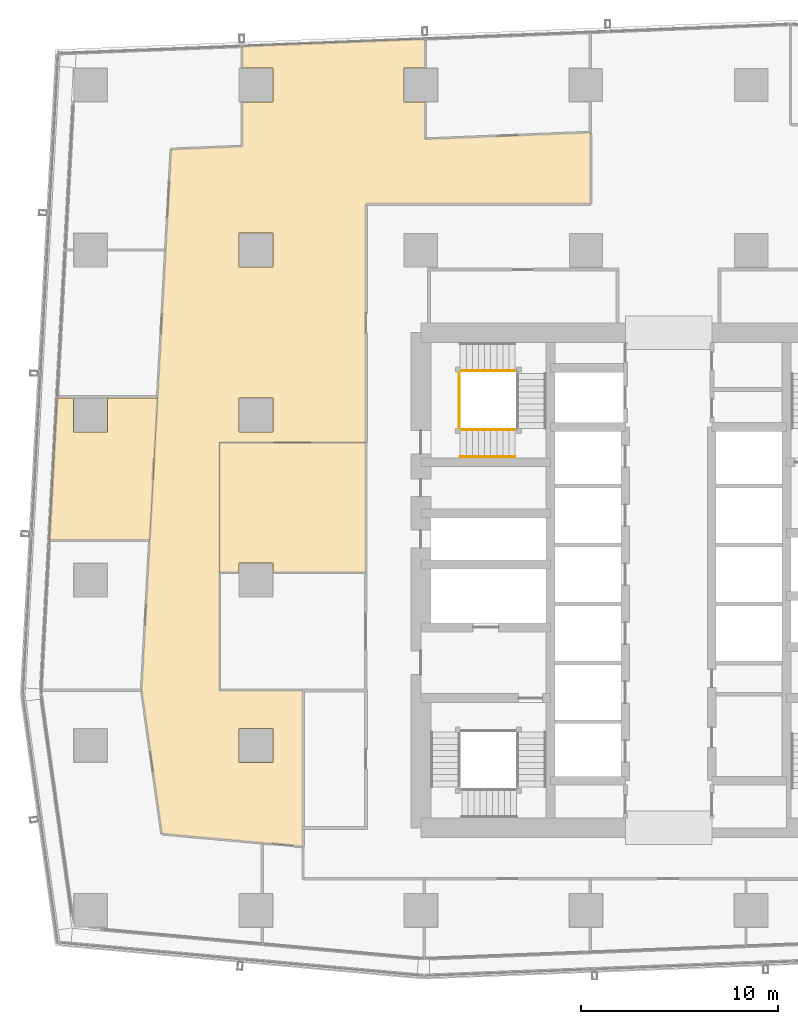
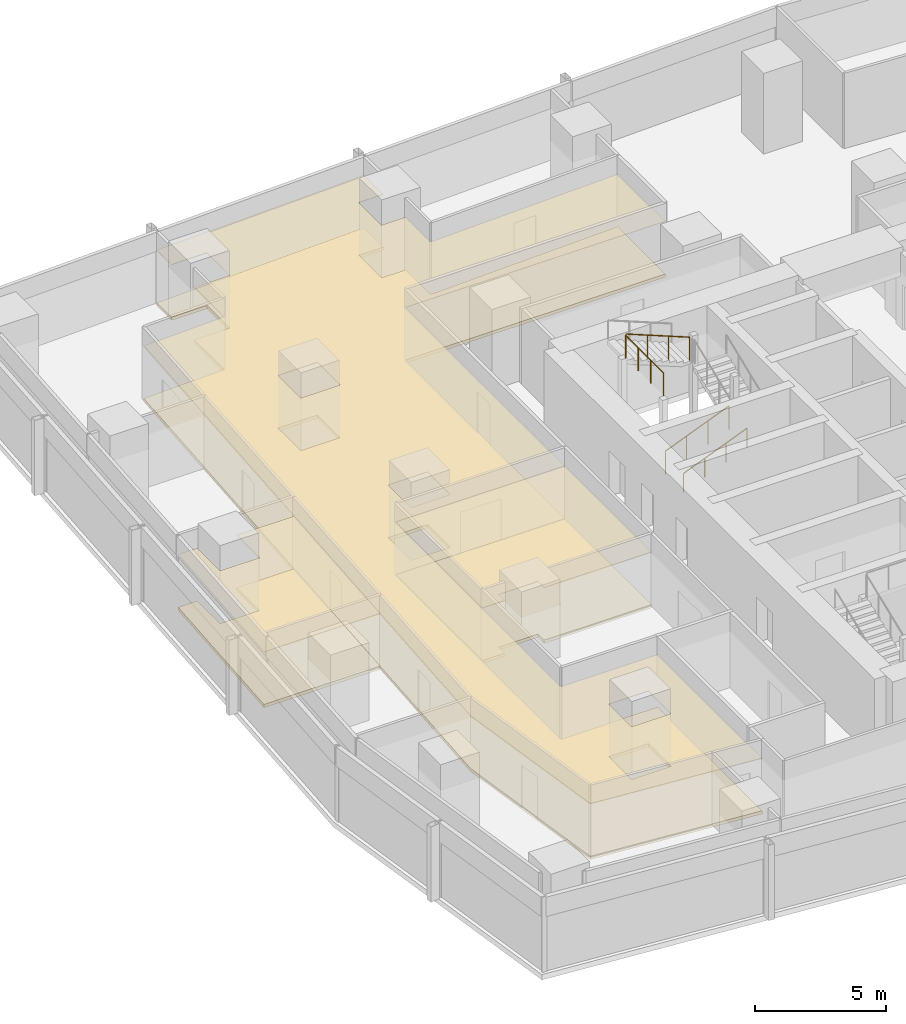
# One storey, part 35 of 40: 6 coverings, 4 railings.
"""IFC4 building model written with IfcOpenShell, lengths in metres."""

from ifc_helpers import new_model, si_unit, direction, frame, origin, origin_2d, place, context, subcontext, project, spatial, polyline, circle, outline, extrude, material, layer, layer_set, type_object, element, save


model = new_model("IFC4")

# Units and contexts
model_context = context("Model", 3, precision=1e-05, world=origin(), true_north=direction((0.0, 1.0)))
body_context = subcontext(model_context, "Body", "Model", "MODEL_VIEW")
ifc_project = project(units=[si_unit("LENGTHUNIT", "METRE"), si_unit("AREAUNIT", "SQUARE_METRE"), si_unit("VOLUMEUNIT", "CUBIC_METRE"), si_unit("PLANEANGLEUNIT", "RADIAN"), si_unit("MASSUNIT", "GRAM", prefix="KILO")], contexts=[model_context])

# Site, building, storey
site_placement = place(None, origin())
site = spatial("IfcSite", under=ifc_project, at=site_placement, CompositionType="ELEMENT")
building_placement = place(site_placement, origin())
building = spatial("IfcBuilding", under=site, at=building_placement, Name="Rekha Terrace Tower", CompositionType="ELEMENT")
storey_placement = place(building_placement, frame((0.0, 0.0, 132.800048828125)))
storey = spatial("IfcBuildingStorey", under=building, at=storey_placement, Name="L33", CompositionType="ELEMENT", Elevation=132.800048828125)

# Coverings
ifc_material_1 = material(Name="Mineral fibre tile in exposed grid", Category="finish")
ifc_layer_1 = layer(ifc_material_1, 0.02001953125)
ifc_layer_set_1 = layer_set([ifc_layer_1], Name="Mineral fibre tile in exposed grid")
covering_type_1 = type_object("IfcCoveringType", Name="CL1 600x1200 office grid ceiling", PredefinedType="CEILING", material=ifc_layer_set_1)
covering_1_placement = place(storey_placement, frame((0.0, 0.0, 2.579833984375)))
element("IfcCovering", 1, at=covering_1_placement, inside=storey, type_object=covering_type_1, Name="Ceiling L33-14", PredefinedType="CEILING", context=body_context, shape_type="SweptSolid", body=[
    extrude(outline(polyline([(9.264892578125, 41.135009765625), (7.534912109375, 41.135009765625), (7.534912109375, 42.8720703125), (6.68994140625, 42.8720703125), (6.29296875, 35.635009765625), (11.40087890625, 35.635009765625), (11.797119140625, 42.8720703125), (9.264892578125, 42.8720703125), (9.264892578125, 41.135009765625)])), origin(), (0.0, 0.0, 1.0), 0.02001953125),
])
covering_2_placement = place(storey_placement, frame((0.0, 0.0, 2.579833984375)))
element("IfcCovering", 2, at=covering_2_placement, inside=storey, type_object=covering_type_1, Name="Ceiling L33-19", PredefinedType="CEILING", context=body_context, shape_type="SweptSolid", body=[
    extrude(outline(polyline([(22.39990234375, 40.60009765625), (14.949951171875, 40.60009765625), (14.949951171875, 34.0), (15.93505859375, 34.0), (15.93505859375, 34.465087890625), (17.6650390625, 34.465087890625), (17.6650390625, 34.0), (22.39990234375, 34.0), (22.39990234375, 40.60009765625)])), origin(), (0.0, 0.0, 1.0), 0.02001953125),
])
covering_3_placement = place(storey_placement, frame((0.0, 0.0, 2.579833984375)))
element("IfcCovering", 3, at=covering_3_placement, inside=storey, type_object=covering_type_1, Name="Ceiling L33-O2", PredefinedType="CEILING", context=body_context, shape_type="SweptSolid", body=[
    extrude(outline(polyline([(10.98388671875, 28.031005859375), (10.989990234375, 27.988037109375), (12.01806640625, 20.694091796875), (17.135009765625, 20.22900390625), (19.199951171875, 20.041015625), (19.199951171875, 28.0), (14.949951171875, 28.0), (14.949951171875, 40.60009765625), (22.39990234375, 40.60009765625), (22.39990234375, 52.75), (33.825927734375, 52.75), (33.825927734375, 56.386962890625), (25.4140625, 56.050048828125), (25.4140625, 57.93505859375), (24.3349609375, 57.93505859375), (24.3349609375, 59.6650390625), (25.4140625, 59.6650390625), (25.4140625, 61.154052734375), (16.10107421875, 60.781005859375), (16.10107421875, 59.6650390625), (17.6650390625, 59.6650390625), (17.6650390625, 57.93505859375), (16.10107421875, 57.93505859375), (16.10107421875, 55.676025390625), (12.490966796875, 55.531982421875), (12.2099609375, 50.402099609375), (11.797119140625, 42.8720703125), (11.40087890625, 35.635009765625), (11.39990234375, 35.635009765625), (10.98388671875, 28.031005859375)]), holes=[polyline([(17.6650390625, 26.06494140625), (17.6650390625, 24.3349609375), (15.93505859375, 24.3349609375), (15.93505859375, 26.06494140625), (17.6650390625, 26.06494140625)]), polyline([(17.6650390625, 41.135009765625), (15.93505859375, 41.135009765625), (15.93505859375, 42.864990234375), (17.6650390625, 42.864990234375), (17.6650390625, 41.135009765625)]), polyline([(17.6650390625, 49.534912109375), (15.93505859375, 49.534912109375), (15.93505859375, 51.264892578125), (17.6650390625, 51.264892578125), (17.6650390625, 49.534912109375)])]), origin(), (0.0, 0.0, 1.0), 0.02001953125),
])

# Railings
ifc_material_2 = material(Name="Stainless steel balustrade", Category="steel")
railing_type_1 = type_object("IfcRailingType", Name="GR1 1100 stair guard", PredefinedType="GUARDRAIL", material=ifc_material_2)
railing_1_placement = place(storey_placement, frame((27.199951171875, 41.264892578125, 0.125)))
element("IfcRailing", 4, at=railing_1_placement, inside=storey, type_object=railing_type_1, Name="Guard ST4 L33 flight 1", PredefinedType="GUARDRAIL", context=body_context, shape_type="SweptSolid", body=[
    extrude(circle(Radius=0.02392578125, at=origin_2d()), frame((0.0, 0.0, 1.076171875), z_axis=(0.927443287984, 0.0, 0.373963831907), x_axis=(0.0, 1.0, 0.0)), (0.0, 0.0, 1.0), 3.00830078125),
    extrude(circle(Radius=0.02099609375, at=origin_2d()), origin(), (0.0, 0.0, 1.0), 1.052001953125),
    extrude(circle(Radius=0.02099609375, at=origin_2d()), frame((0.929931640625, 0.0, 0.375)), (0.0, 0.0, 1.0), 1.052001953125),
    extrude(circle(Radius=0.02099609375, at=origin_2d()), frame((1.860107421875, 0.0, 0.75)), (0.0, 0.0, 1.0), 1.052001953125),
    extrude(circle(Radius=0.02099609375, at=origin_2d()), frame((2.7900390625, 0.0, 1.125)), (0.0, 0.0, 1.0), 1.052001953125),
])
railing_2_placement = place(storey_placement, frame((29.989990234375, 44.260009765625, 2.625)))
element("IfcRailing", 5, at=railing_2_placement, inside=storey, type_object=railing_type_1, Name="Guard ST4 L33 flight 3", PredefinedType="GUARDRAIL", context=body_context, shape_type="SweptSolid", body=[
    extrude(circle(Radius=0.02392578125, at=origin_2d()), frame((0.0, 0.0, 1.076171875), z_axis=(-0.927443287984, 0.0, 0.373963831907), x_axis=(0.0, -1.0, 0.0)), (0.0, 0.0, 1.0), 3.00830078125),
    extrude(circle(Radius=0.02099609375, at=origin_2d()), origin(), (0.0, 0.0, 1.0), 1.052001953125),
    extrude(circle(Radius=0.02099609375, at=origin_2d()), frame((-0.929931640625, 0.0, 0.375)), (0.0, 0.0, 1.0), 1.052001953125),
    extrude(circle(Radius=0.02099609375, at=origin_2d()), frame((-1.860107421875, 0.0, 0.75)), (0.0, 0.0, 1.0), 1.052001953125),
    extrude(circle(Radius=0.02099609375, at=origin_2d()), frame((-2.7900390625, 0.0, 1.125)), (0.0, 0.0, 1.0), 1.052001953125),
])
railing_3_placement = place(storey_placement, frame((27.139892578125, 41.324951171875, 3.75)))
element("IfcRailing", 6, at=railing_3_placement, inside=storey, type_object=railing_type_1, Name="Guard ST4 L33 landing 4", PredefinedType="GUARDRAIL", context=body_context, shape_type="SweptSolid", body=[
    extrude(circle(Radius=0.02392578125, at=origin_2d()), frame((0.0, 0.0, 1.076171875), z_axis=(0.0, 1.0, 0.0), x_axis=(-1.0, 0.0, 0.0)), (0.0, 0.0, 1.0), 2.875),
    extrude(circle(Radius=0.02099609375, at=origin_2d()), origin(), (0.0, 0.0, 1.0), 1.052001953125),
    extrude(circle(Radius=0.02099609375, at=origin_2d()), frame((0.0, 0.958251953125, 0.0)), (0.0, 0.0, 1.0), 1.052001953125),
    extrude(circle(Radius=0.02099609375, at=origin_2d()), frame((0.0, 1.916748046875, 0.0)), (0.0, 0.0, 1.0), 1.052001953125),
    extrude(circle(Radius=0.02099609375, at=origin_2d()), frame((0.0, 2.875, 0.0)), (0.0, 0.0, 1.0), 1.052001953125),
])
ifc_material_3 = material(Name="Stainless steel tube", Category="steel")
railing_type_2 = type_object("IfcRailingType", Name="HR1 900 stair handrail", PredefinedType="HANDRAIL", material=ifc_material_3)
railing_4_placement = place(storey_placement, frame((27.199951171875, 39.885009765625, 0.125)))
element("IfcRailing", 7, at=railing_4_placement, inside=storey, type_object=railing_type_2, Name="Handrail ST4 L33 flight 1", PredefinedType="HANDRAIL", context=body_context, shape_type="SweptSolid", body=[
    extrude(circle(Radius=0.02392578125, at=origin_2d()), frame((0.0, 0.0, 0.8759765625), z_axis=(0.927443287984, 0.0, 0.373963831907), x_axis=(0.0, 1.0, 0.0)), (0.0, 0.0, 1.0), 3.00830078125),
    extrude(circle(Radius=0.02099609375, at=origin_2d()), origin(), (0.0, 0.0, 1.0), 0.851806640625),
    extrude(circle(Radius=0.02099609375, at=origin_2d()), frame((0.929931640625, 0.0, 0.375)), (0.0, 0.0, 1.0), 0.851806640625),
    extrude(circle(Radius=0.02099609375, at=origin_2d()), frame((1.860107421875, 0.0, 0.75)), (0.0, 0.0, 1.0), 0.851806640625),
    extrude(circle(Radius=0.02099609375, at=origin_2d()), frame((2.7900390625, 0.0, 1.125)), (0.0, 0.0, 1.0), 0.851806640625),
])

# Coverings
ifc_material_4 = material(Name="Calcium sulphate panels on steel pedestals", Category="steel")
ifc_layer_2 = layer(ifc_material_4, 0.14990234375)
ifc_layer_set_2 = layer_set([ifc_layer_2], Name="Calcium sulphate panels on steel pedestals")
covering_type_2 = type_object("IfcCoveringType", Name="RF1 150 raised access floor", PredefinedType="FLOORING", material=ifc_layer_set_2)
covering_4_placement = place(storey_placement, origin())
element("IfcCovering", 8, at=covering_4_placement, inside=storey, type_object=covering_type_2, Name="Raised floor L33-14", PredefinedType="FLOORING", context=body_context, shape_type="SweptSolid", body=[
    extrude(outline(polyline([(9.264892578125, 41.135009765625), (7.534912109375, 41.135009765625), (7.534912109375, 42.8720703125), (6.68994140625, 42.8720703125), (6.29296875, 35.635009765625), (11.40087890625, 35.635009765625), (11.797119140625, 42.8720703125), (9.264892578125, 42.8720703125), (9.264892578125, 41.135009765625)])), origin(), (0.0, 0.0, 1.0), 0.14990234375),
])
covering_5_placement = place(storey_placement, origin())
element("IfcCovering", 9, at=covering_5_placement, inside=storey, type_object=covering_type_2, Name="Raised floor L33-19", PredefinedType="FLOORING", context=body_context, shape_type="SweptSolid", body=[
    extrude(outline(polyline([(22.39990234375, 40.60009765625), (14.949951171875, 40.60009765625), (14.949951171875, 34.0), (15.93505859375, 34.0), (15.93505859375, 34.465087890625), (17.6650390625, 34.465087890625), (17.6650390625, 34.0), (22.39990234375, 34.0), (22.39990234375, 40.60009765625)])), origin(), (0.0, 0.0, 1.0), 0.14990234375),
])
covering_6_placement = place(storey_placement, origin())
element("IfcCovering", 10, at=covering_6_placement, inside=storey, type_object=covering_type_2, Name="Raised floor L33-O2", PredefinedType="FLOORING", context=body_context, shape_type="SweptSolid", body=[
    extrude(outline(polyline([(10.98388671875, 28.031005859375), (10.989990234375, 27.988037109375), (12.01806640625, 20.694091796875), (17.135009765625, 20.22900390625), (19.199951171875, 20.041015625), (19.199951171875, 28.0), (14.949951171875, 28.0), (14.949951171875, 40.60009765625), (22.39990234375, 40.60009765625), (22.39990234375, 52.75), (33.825927734375, 52.75), (33.825927734375, 56.386962890625), (25.4140625, 56.050048828125), (25.4140625, 57.93505859375), (24.3349609375, 57.93505859375), (24.3349609375, 59.6650390625), (25.4140625, 59.6650390625), (25.4140625, 61.154052734375), (16.10107421875, 60.781005859375), (16.10107421875, 59.6650390625), (17.6650390625, 59.6650390625), (17.6650390625, 57.93505859375), (16.10107421875, 57.93505859375), (16.10107421875, 55.676025390625), (12.490966796875, 55.531982421875), (12.2099609375, 50.402099609375), (11.797119140625, 42.8720703125), (11.40087890625, 35.635009765625), (11.39990234375, 35.635009765625), (10.98388671875, 28.031005859375)]), holes=[polyline([(17.6650390625, 26.06494140625), (17.6650390625, 24.3349609375), (15.93505859375, 24.3349609375), (15.93505859375, 26.06494140625), (17.6650390625, 26.06494140625)]), polyline([(17.6650390625, 41.135009765625), (15.93505859375, 41.135009765625), (15.93505859375, 42.864990234375), (17.6650390625, 42.864990234375), (17.6650390625, 41.135009765625)]), polyline([(17.6650390625, 49.534912109375), (15.93505859375, 49.534912109375), (15.93505859375, 51.264892578125), (17.6650390625, 51.264892578125), (17.6650390625, 49.534912109375)])]), origin(), (0.0, 0.0, 1.0), 0.14990234375),
])

save(model, "model.ifc")
